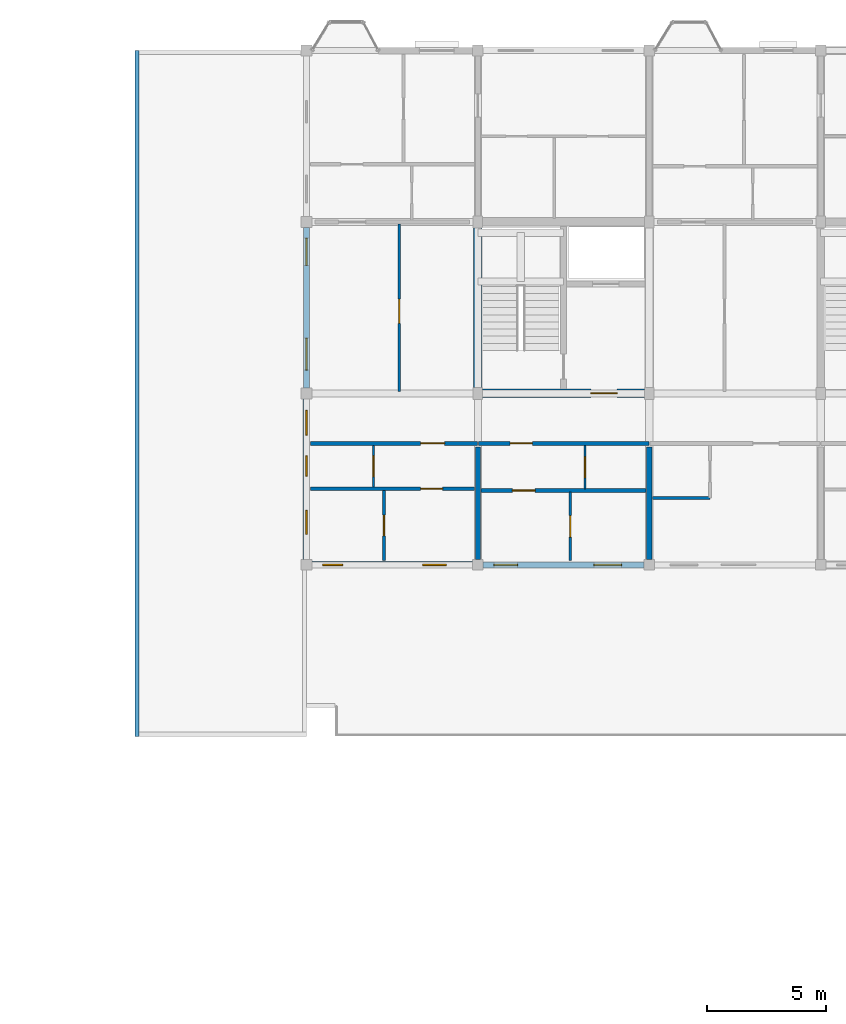
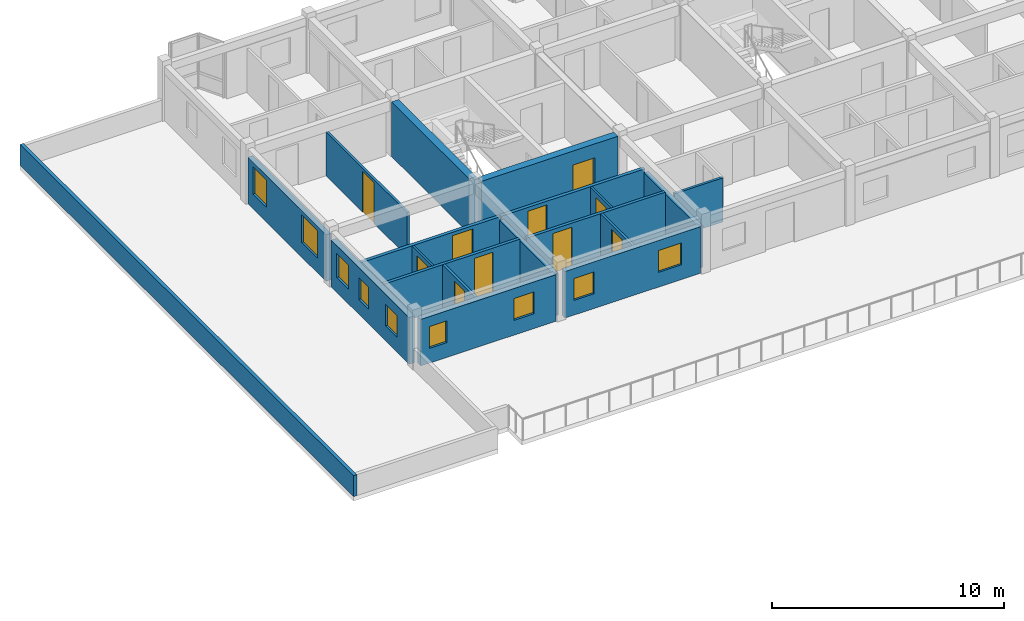
# One storey, part 32 of 40: 19 walls, 10 doors, 9 windows, 19 openings.
"""IFC4 building model written with IfcOpenShell, lengths in metres."""

from ifc_helpers import new_model, si_unit, direction, frame, frame_2d, origin, place, context, subcontext, project, spatial, rectangle, extrude, material, layer, layer_set, type_object, element, fill, save


model = new_model("IFC4")

# Units and contexts
model_context = context("Model", 3, precision=1e-05, world=origin(), true_north=direction((0.0, 1.0)))
body_context = subcontext(model_context, "Body", "Model", "MODEL_VIEW")
ifc_project = project(units=[si_unit("LENGTHUNIT", "METRE"), si_unit("AREAUNIT", "SQUARE_METRE"), si_unit("VOLUMEUNIT", "CUBIC_METRE"), si_unit("PLANEANGLEUNIT", "RADIAN"), si_unit("MASSUNIT", "GRAM", prefix="KILO"), si_unit("THERMODYNAMICTEMPERATUREUNIT", "KELVIN"), si_unit("POWERUNIT", "WATT")], contexts=[model_context])

# Site, building, storey
site_placement = place(None, origin())
site = spatial("IfcSite", under=ifc_project, at=site_placement, CompositionType="ELEMENT")
building_placement = place(site_placement, origin())
building = spatial("IfcBuilding", under=site, at=building_placement, Name="Tavuni Mirador Residences", CompositionType="ELEMENT")
storey_placement = place(building_placement, frame((0.0, 0.0, 36.0)))
storey = spatial("IfcBuildingStorey", under=building, at=storey_placement, Name="L11", CompositionType="ELEMENT", Elevation=36.0)

# Wall
ifc_material_1 = material(Name="Precast concrete C40/50", Category="concrete")
ifc_layer_1 = layer(ifc_material_1, 0.360107421875, Name="Precast concrete C40/50", Category="concrete")
ifc_layer_set_1 = layer_set([ifc_layer_1], Name="Precast concrete C40/50")
wall_type_1 = type_object("IfcWallType", Name="WT-COR360", PredefinedType="SHEAR", material=ifc_layer_set_1)
wall_1_placement = place(storey_placement, frame((25.199951171875, 158.64990234375, 0.0), z_axis=(0.0, 0.0, 1.0), x_axis=(0.0, 1.0, 0.0)))
element("IfcWall", 1, at=wall_1_placement, inside=storey, type_object=wall_type_1, Name="CWALL-C5-L11-W", PredefinedType="SHEAR", context=body_context, shape_type="SweptSolid", body=[
    extrude(rectangle(XDim=6.7001953125, YDim=0.360107421875, at=frame_2d((3.35009765625, 0.0))), origin(), (0.0, 0.0, 1.0), 2.885009765625),
])

# Wall, opening, door
wall_2_placement = place(storey_placement, frame((25.39990234375, 158.39990234375, 0.0), z_axis=(0.0, 0.0, 1.0), x_axis=(1.0, 0.0, 0.0)))
wall_2 = element("IfcWall", 2, at=wall_2_placement, inside=storey, type_object=wall_type_1, Name="CWALL-C5-L11-SS", PredefinedType="SHEAR", context=body_context, shape_type="SweptSolid", body=[
    extrude(rectangle(XDim=6.800048828125, YDim=0.360107421875, at=frame_2d((3.39990234375, 0.0))), origin(), (0.0, 0.0, 1.0), 2.885009765625),
])
opening_1_placement = place(wall_2_placement, frame((4.550048828125, 0.0, 0.0)))
opening_1 = element("IfcOpeningElement", 3, at=opening_1_placement, cuts=wall_2, Name="Opening D-02", PredefinedType="OPENING", context=body_context, shape_type="SweptSolid", body=[
    extrude(rectangle(XDim=1.10009765625, YDim=2.14990234375, at=frame_2d((0.550048828125, 1.074951171875))), frame((0.0, 0.18994140625, 0.0), z_axis=(0.0, -1.0, 0.0), x_axis=(1.0, 0.0, 0.0)), (0.0, 0.0, 1.0), 0.380126953125),
])
ifc_material_2 = material(Name="Solid core iroko timber", Category="wood")
door_type_1 = type_object("IfcDoorType", Name="DT-LOB1100", OperationType="NOTDEFINED", PredefinedType="DOOR", material=ifc_material_2)
door_1_placement = place(opening_1_placement, frame((1.10009765625, 0.0, 0.0), z_axis=(0.0, 0.0, 1.0), x_axis=(-1.0, 0.0, 0.0)))
door_1 = element("IfcDoor", 4, at=door_1_placement, inside=storey, type_object=door_type_1, Name="DR-2207", OperationType="SINGLE_SWING_LEFT", OverallHeight=2.14990234375, OverallWidth=1.10009765625, PredefinedType="DOOR", context=body_context, shape_type="SweptSolid", body=[
    extrude(rectangle(XDim=1.10009765625, YDim=2.14990234375, at=frame_2d((0.550048828125, 1.074951171875))), frame((0.0, 0.02490234375, 0.0), z_axis=(0.0, -1.0, 0.0), x_axis=(1.0, 0.0, 0.0)), (0.0, 0.0, 1.0), 0.050048828125),
])
fill(opening_1, door_1)

ifc_layer_2 = layer(ifc_material_1, 0.1650390625, Name="Precast concrete C40/50", Category="concrete")
ifc_layer_set_2 = layer_set([ifc_layer_2], Name="Precast concrete C40/50")
wall_type_2 = type_object("IfcWallType", Name="WT-CORR165", PredefinedType="PARTITIONING", material=ifc_layer_set_2)
wall_3_placement = place(storey_placement, frame((18.175048828125, 156.300048828125, 0.0), z_axis=(0.0, 0.0, 1.0), x_axis=(1.0, 0.0, 0.0)))
wall_3 = element("IfcWall", 5, at=wall_3_placement, inside=storey, type_object=wall_type_2, Name="CORW-BLK-C-L11-0-00", PredefinedType="PARTITIONING", context=body_context, shape_type="SweptSolid", body=[
    extrude(rectangle(XDim=7.0048828125, YDim=0.1650390625, at=frame_2d((3.50244140625, 0.0))), origin(), (0.0, 0.0, 1.0), 2.320068359375),
])
opening_2_placement = place(wall_3_placement, frame((4.625, 0.0, 0.0)))
opening_2 = element("IfcOpeningElement", 6, at=opening_2_placement, cuts=wall_3, Name="Opening D-03", PredefinedType="OPENING", context=body_context, shape_type="SweptSolid", body=[
    extrude(rectangle(XDim=1.0, YDim=2.14990234375, at=frame_2d((0.5, 1.074951171875))), frame((0.0, 0.092529296875, 0.0), z_axis=(0.0, -1.0, 0.0), x_axis=(1.0, 0.0, 0.0)), (0.0, 0.0, 1.0), 0.18505859375),
])
door_type_2 = type_object("IfcDoorType", Name="DT-FD60-1000", OperationType="NOTDEFINED", PredefinedType="DOOR", material=ifc_material_2)
door_2_placement = place(opening_2_placement, origin())
door_2 = element("IfcDoor", 7, at=door_2_placement, inside=storey, type_object=door_type_2, Name="DR-2775", OperationType="SINGLE_SWING_RIGHT", OverallHeight=2.14990234375, OverallWidth=1.0, PredefinedType="DOOR", context=body_context, shape_type="SweptSolid", body=[
    extrude(rectangle(XDim=1.0, YDim=2.14990234375, at=frame_2d((0.5, 1.074951171875))), frame((0.0, 0.02490234375, 0.0), z_axis=(0.0, -1.0, 0.0), x_axis=(1.0, 0.0, 0.0)), (0.0, 0.0, 1.0), 0.050048828125),
])
fill(opening_2, door_2)

wall_4_placement = place(storey_placement, frame((25.219970703125, 156.300048828125, 0.0), z_axis=(0.0, 0.0, 1.0), x_axis=(1.0, 0.0, 0.0)))
wall_4 = element("IfcWall", 8, at=wall_4_placement, inside=storey, type_object=wall_type_2, Name="CORW-BLK-C-L11-0-01", PredefinedType="PARTITIONING", context=body_context, shape_type="SweptSolid", body=[
    extrude(rectangle(XDim=7.159912109375, YDim=0.1650390625, at=frame_2d((3.580078125, 0.0))), origin(), (0.0, 0.0, 1.0), 2.320068359375),
])
opening_3_placement = place(wall_4_placement, frame((1.330078125, 0.0, 0.0)))
opening_3 = element("IfcOpeningElement", 9, at=opening_3_placement, cuts=wall_4, Name="Opening D-19", PredefinedType="OPENING", context=body_context, shape_type="SweptSolid", body=[
    extrude(rectangle(XDim=0.93994140625, YDim=2.1201171875, at=frame_2d((0.469970703125, 1.06005859375))), frame((0.0, 0.092529296875, 0.0), z_axis=(0.0, -1.0, 0.0), x_axis=(1.0, 0.0, 0.0)), (0.0, 0.0, 1.0), 0.18505859375),
])
door_type_3 = type_object("IfcDoorType", Name="DT-FD60-940", OperationType="NOTDEFINED", PredefinedType="DOOR", material=ifc_material_2)
door_3_placement = place(opening_3_placement, origin())
door_3 = element("IfcDoor", 10, at=door_3_placement, inside=storey, type_object=door_type_3, Name="DR-2776", OperationType="SINGLE_SWING_LEFT", OverallHeight=2.1201171875, OverallWidth=0.93994140625, PredefinedType="DOOR", context=body_context, shape_type="SweptSolid", body=[
    extrude(rectangle(XDim=0.93994140625, YDim=2.1201171875, at=frame_2d((0.469970703125, 1.06005859375))), frame((0.0, 0.02490234375, 0.0), z_axis=(0.0, -1.0, 0.0), x_axis=(1.0, 0.0, 0.0)), (0.0, 0.0, 1.0), 0.050048828125),
])
fill(opening_3, door_3)

# Wall, openings, windows
ifc_material_3 = material(Name="Sgraffito lime-rendered precast concrete C40/50", Category="concrete")
ifc_layer_3 = layer(ifc_material_3, 0.2548828125, Name="Sgraffito lime-rendered precast concrete C40/50", Category="concrete")
ifc_layer_set_3 = layer_set([ifc_layer_3], Name="Sgraffito lime-rendered precast concrete C40/50")
wall_type_3 = type_object("IfcWallType", Name="WT-EXT-PC255", PredefinedType="SOLIDWALL", material=ifc_layer_set_3)
wall_5_placement = place(storey_placement, frame((25.425048828125, 151.199951171875, 0.0), z_axis=(0.0, 0.0, 1.0), x_axis=(1.0, 0.0, 0.0)))
wall_5 = element("IfcWall", 11, at=wall_5_placement, inside=storey, type_object=wall_type_3, Name="EW-BLK-C-L11-S01", PredefinedType="SOLIDWALL", context=body_context, shape_type="SweptSolid", body=[
    extrude(rectangle(XDim=6.75, YDim=0.2548828125, at=frame_2d((3.375, 0.0))), origin(), (0.0, 0.0, 1.0), 2.455078125),
])
opening_4_placement = place(wall_5_placement, frame((0.449951171875, 0.0, 0.780029296875)))
opening_4 = element("IfcOpeningElement", 12, at=opening_4_placement, cuts=wall_5, Name="Opening WN-03", PredefinedType="OPENING", context=body_context, shape_type="SweptSolid", body=[
    extrude(rectangle(XDim=1.0, YDim=1.14990234375, at=frame_2d((0.5, 0.574951171875))), frame((0.0, 0.137451171875, 0.0), z_axis=(0.0, -1.0, 0.0), x_axis=(1.0, 0.0, 0.0)), (0.0, 0.0, 1.0), 0.27490234375),
])
opening_5_placement = place(wall_5_placement, frame((4.64990234375, 0.0, 0.780029296875)))
opening_5 = element("IfcOpeningElement", 13, at=opening_5_placement, cuts=wall_5, Name="Opening WN-05", PredefinedType="OPENING", context=body_context, shape_type="SweptSolid", body=[
    extrude(rectangle(XDim=1.159912109375, YDim=1.14990234375, at=frame_2d((0.580078125, 0.574951171875))), frame((0.0, 0.137451171875, 0.0), z_axis=(0.0, -1.0, 0.0), x_axis=(1.0, 0.0, 0.0)), (0.0, 0.0, 1.0), 0.27490234375),
])
ifc_material_4 = material(Name="Laminated solar-control glass", Category="glass")
window_type_1 = type_object("IfcWindowType", Name="WNT-03", PartitioningType="SINGLE_PANEL", PredefinedType="WINDOW", material=ifc_material_4)
window_1_placement = place(opening_4_placement, origin())
window_1 = element("IfcWindow", 14, at=window_1_placement, inside=storey, type_object=window_type_1, Name="WIN-1311", OverallHeight=1.14990234375, OverallWidth=1.0, PartitioningType="SINGLE_PANEL", PredefinedType="WINDOW", context=body_context, shape_type="SweptSolid", body=[
    extrude(rectangle(XDim=1.0, YDim=1.14990234375, at=frame_2d((0.5, 0.574951171875))), frame((0.0, 0.030029296875, 0.0), z_axis=(0.0, -1.0, 0.0), x_axis=(1.0, 0.0, 0.0)), (0.0, 0.0, 1.0), 0.06005859375),
])
fill(opening_4, window_1)
window_type_2 = type_object("IfcWindowType", Name="WNT-05", PartitioningType="SINGLE_PANEL", PredefinedType="WINDOW", material=ifc_material_4)
window_2_placement = place(opening_5_placement, origin())
window_2 = element("IfcWindow", 15, at=window_2_placement, inside=storey, type_object=window_type_2, Name="WIN-1312", OverallHeight=1.14990234375, OverallWidth=1.159912109375, PartitioningType="SINGLE_PANEL", PredefinedType="WINDOW", context=body_context, shape_type="SweptSolid", body=[
    extrude(rectangle(XDim=1.159912109375, YDim=1.14990234375, at=frame_2d((0.580078125, 0.574951171875))), frame((0.0, 0.030029296875, 0.0), z_axis=(0.0, -1.0, 0.0), x_axis=(1.0, 0.0, 0.0)), (0.0, 0.0, 1.0), 0.06005859375),
])
fill(opening_5, window_2)

wall_6_placement = place(storey_placement, frame((18.0, 165.375, 0.0), z_axis=(0.0, 0.0, 1.0), x_axis=(0.0, -1.0, 0.0)))
wall_6 = element("IfcWall", 16, at=wall_6_placement, inside=storey, type_object=wall_type_3, Name="EW-BLK-C-L11-W01", PredefinedType="SOLIDWALL", context=body_context, shape_type="SweptSolid", body=[
    extrude(rectangle(XDim=6.75, YDim=0.2548828125, at=frame_2d((3.375, 0.0))), origin(), (0.0, 0.0, 1.0), 2.455078125),
])
opening_6_placement = place(wall_6_placement, frame((0.449951171875, 0.0, 0.780029296875)))
opening_6 = element("IfcOpeningElement", 17, at=opening_6_placement, cuts=wall_6, Name="Opening WN-27", PredefinedType="OPENING", context=body_context, shape_type="SweptSolid", body=[
    extrude(rectangle(XDim=1.14990234375, YDim=1.43994140625, at=frame_2d((0.574951171875, 0.719970703125))), frame((0.0, 0.137451171875, 0.0), z_axis=(0.0, -1.0, 0.0), x_axis=(1.0, 0.0, 0.0)), (0.0, 0.0, 1.0), 0.27490234375),
])
opening_7_placement = place(wall_6_placement, frame((4.64990234375, 0.0, 0.780029296875)))
opening_7 = element("IfcOpeningElement", 18, at=opening_7_placement, cuts=wall_6, Name="Opening WN-29", PredefinedType="OPENING", context=body_context, shape_type="SweptSolid", body=[
    extrude(rectangle(XDim=1.35009765625, YDim=1.43994140625, at=frame_2d((0.675048828125, 0.719970703125))), frame((0.0, 0.137451171875, 0.0), z_axis=(0.0, -1.0, 0.0), x_axis=(1.0, 0.0, 0.0)), (0.0, 0.0, 1.0), 0.27490234375),
])
window_type_3 = type_object("IfcWindowType", Name="WNT-27", PartitioningType="SINGLE_PANEL", PredefinedType="WINDOW", material=ifc_material_4)
window_3_placement = place(opening_6_placement, origin())
window_3 = element("IfcWindow", 19, at=window_3_placement, inside=storey, type_object=window_type_3, Name="WIN-1335", OverallHeight=1.43994140625, OverallWidth=1.14990234375, PartitioningType="SINGLE_PANEL", PredefinedType="WINDOW", context=body_context, shape_type="SweptSolid", body=[
    extrude(rectangle(XDim=1.14990234375, YDim=1.43994140625, at=frame_2d((0.574951171875, 0.719970703125))), frame((0.0, 0.030029296875, 0.0), z_axis=(0.0, -1.0, 0.0), x_axis=(1.0, 0.0, 0.0)), (0.0, 0.0, 1.0), 0.06005859375),
])
fill(opening_6, window_3)
window_type_4 = type_object("IfcWindowType", Name="WNT-29", PartitioningType="SINGLE_PANEL", PredefinedType="WINDOW", material=ifc_material_4)
window_4_placement = place(opening_7_placement, origin())
window_4 = element("IfcWindow", 20, at=window_4_placement, inside=storey, type_object=window_type_4, Name="WIN-1336", OverallHeight=1.43994140625, OverallWidth=1.35009765625, PartitioningType="SINGLE_PANEL", PredefinedType="WINDOW", context=body_context, shape_type="SweptSolid", body=[
    extrude(rectangle(XDim=1.35009765625, YDim=1.43994140625, at=frame_2d((0.675048828125, 0.719970703125))), frame((0.0, 0.030029296875, 0.0), z_axis=(0.0, -1.0, 0.0), x_axis=(1.0, 0.0, 0.0)), (0.0, 0.0, 1.0), 0.06005859375),
])
fill(opening_7, window_4)

ifc_layer_4 = layer(ifc_material_3, 0.27490234375, Name="Sgraffito lime-rendered precast concrete C40/50", Category="concrete")
ifc_layer_set_4 = layer_set([ifc_layer_4], Name="Sgraffito lime-rendered precast concrete C40/50")
wall_type_4 = type_object("IfcWallType", Name="WT-EXT-PC275", PredefinedType="SOLIDWALL", material=ifc_layer_set_4)
wall_7_placement = place(storey_placement, frame((18.22509765625, 151.199951171875, 0.0), z_axis=(0.0, 0.0, 1.0), x_axis=(1.0, 0.0, 0.0)))
wall_7 = element("IfcWall", 21, at=wall_7_placement, inside=storey, type_object=wall_type_4, Name="EW-BLK-C-L11-S00", PredefinedType="SOLIDWALL", context=body_context, shape_type="SweptSolid", body=[
    extrude(rectangle(XDim=6.75, YDim=0.27490234375, at=frame_2d((3.375, 0.0))), origin(), (0.0, 0.0, 1.0), 2.455078125),
])
opening_8_placement = place(wall_7_placement, frame((0.449951171875, 0.0, 0.780029296875)))
opening_8 = element("IfcOpeningElement", 22, at=opening_8_placement, cuts=wall_7, Name="Opening WN-01", PredefinedType="OPENING", context=body_context, shape_type="SweptSolid", body=[
    extrude(rectangle(XDim=0.85009765625, YDim=1.14990234375, at=frame_2d((0.425048828125, 0.574951171875))), frame((0.0, 0.1474609375, 0.0), z_axis=(0.0, -1.0, 0.0), x_axis=(1.0, 0.0, 0.0)), (0.0, 0.0, 1.0), 0.294921875),
])
opening_9_placement = place(wall_7_placement, frame((4.64990234375, 0.0, 0.780029296875)))
opening_9 = element("IfcOpeningElement", 23, at=opening_9_placement, cuts=wall_7, Name="Opening WN-03", PredefinedType="OPENING", context=body_context, shape_type="SweptSolid", body=[
    extrude(rectangle(XDim=1.0, YDim=1.14990234375, at=frame_2d((0.5, 0.574951171875))), frame((0.0, 0.1474609375, 0.0), z_axis=(0.0, -1.0, 0.0), x_axis=(1.0, 0.0, 0.0)), (0.0, 0.0, 1.0), 0.294921875),
])
window_type_5 = type_object("IfcWindowType", Name="WNT-01", PartitioningType="SINGLE_PANEL", PredefinedType="WINDOW", material=ifc_material_4)
window_5_placement = place(opening_8_placement, origin())
window_5 = element("IfcWindow", 24, at=window_5_placement, inside=storey, type_object=window_type_5, Name="WIN-1309", OverallHeight=1.14990234375, OverallWidth=0.85009765625, PartitioningType="SINGLE_PANEL", PredefinedType="WINDOW", context=body_context, shape_type="SweptSolid", body=[
    extrude(rectangle(XDim=0.85009765625, YDim=1.14990234375, at=frame_2d((0.425048828125, 0.574951171875))), frame((0.0, 0.030029296875, 0.0), z_axis=(0.0, -1.0, 0.0), x_axis=(1.0, 0.0, 0.0)), (0.0, 0.0, 1.0), 0.06005859375),
])
fill(opening_8, window_5)
window_6_placement = place(opening_9_placement, origin())
window_6 = element("IfcWindow", 25, at=window_6_placement, inside=storey, type_object=window_type_1, Name="WIN-1310", OverallHeight=1.14990234375, OverallWidth=1.0, PartitioningType="SINGLE_PANEL", PredefinedType="WINDOW", context=body_context, shape_type="SweptSolid", body=[
    extrude(rectangle(XDim=1.0, YDim=1.14990234375, at=frame_2d((0.5, 0.574951171875))), frame((0.0, 0.030029296875, 0.0), z_axis=(0.0, -1.0, 0.0), x_axis=(1.0, 0.0, 0.0)), (0.0, 0.0, 1.0), 0.06005859375),
])
fill(opening_9, window_6)

wall_8_placement = place(storey_placement, frame((18.0, 158.175048828125, 0.0), z_axis=(0.0, 0.0, 1.0), x_axis=(0.0, -1.0, 0.0)))
wall_8 = element("IfcWall", 26, at=wall_8_placement, inside=storey, type_object=wall_type_4, Name="EW-BLK-C-L11-W00", PredefinedType="SOLIDWALL", context=body_context, shape_type="SweptSolid", body=[
    extrude(rectangle(XDim=6.75, YDim=0.27490234375, at=frame_2d((3.375, 0.0))), origin(), (0.0, 0.0, 1.0), 2.455078125),
])
opening_10_placement = place(wall_8_placement, frame((0.487548828125, 0.0, 0.780029296875)))
opening_10 = element("IfcOpeningElement", 27, at=opening_10_placement, cuts=wall_8, Name="Opening WN-11", PredefinedType="OPENING", context=body_context, shape_type="SweptSolid", body=[
    extrude(rectangle(XDim=1.0400390625, YDim=1.260009765625, at=frame_2d((0.52001953125, 0.6298828125))), frame((0.0, 0.1474609375, 0.0), z_axis=(0.0, -1.0, 0.0), x_axis=(1.0, 0.0, 0.0)), (0.0, 0.0, 1.0), 0.294921875),
])
opening_11_placement = place(wall_8_placement, frame((2.39990234375, 0.0, 0.780029296875)))
opening_11 = element("IfcOpeningElement", 28, at=opening_11_placement, cuts=wall_8, Name="Opening WN-01", PredefinedType="OPENING", context=body_context, shape_type="SweptSolid", body=[
    extrude(rectangle(XDim=0.85009765625, YDim=1.14990234375, at=frame_2d((0.425048828125, 0.574951171875))), frame((0.0, 0.1474609375, 0.0), z_axis=(0.0, -1.0, 0.0), x_axis=(1.0, 0.0, 0.0)), (0.0, 0.0, 1.0), 0.294921875),
])
opening_12_placement = place(wall_8_placement, frame((4.6923828125, 0.0, 0.780029296875)))
opening_12 = element("IfcOpeningElement", 29, at=opening_12_placement, cuts=wall_8, Name="Opening WN-03", PredefinedType="OPENING", context=body_context, shape_type="SweptSolid", body=[
    extrude(rectangle(XDim=1.0, YDim=1.14990234375, at=frame_2d((0.5, 0.574951171875))), frame((0.0, 0.1474609375, 0.0), z_axis=(0.0, -1.0, 0.0), x_axis=(1.0, 0.0, 0.0)), (0.0, 0.0, 1.0), 0.294921875),
])
window_7_placement = place(opening_11_placement, origin())
window_7 = element("IfcWindow", 30, at=window_7_placement, inside=storey, type_object=window_type_5, Name="WIN-1338", OverallHeight=1.14990234375, OverallWidth=0.85009765625, PartitioningType="SINGLE_PANEL", PredefinedType="WINDOW", context=body_context, shape_type="SweptSolid", body=[
    extrude(rectangle(XDim=0.85009765625, YDim=1.14990234375, at=frame_2d((0.425048828125, 0.574951171875))), frame((0.0, 0.030029296875, 0.0), z_axis=(0.0, -1.0, 0.0), x_axis=(1.0, 0.0, 0.0)), (0.0, 0.0, 1.0), 0.06005859375),
])
fill(opening_11, window_7)
window_8_placement = place(opening_12_placement, origin())
window_8 = element("IfcWindow", 31, at=window_8_placement, inside=storey, type_object=window_type_1, Name="WIN-1339", OverallHeight=1.14990234375, OverallWidth=1.0, PartitioningType="SINGLE_PANEL", PredefinedType="WINDOW", context=body_context, shape_type="SweptSolid", body=[
    extrude(rectangle(XDim=1.0, YDim=1.14990234375, at=frame_2d((0.5, 0.574951171875))), frame((0.0, 0.030029296875, 0.0), z_axis=(0.0, -1.0, 0.0), x_axis=(1.0, 0.0, 0.0)), (0.0, 0.0, 1.0), 0.06005859375),
])
fill(opening_12, window_8)
window_type_6 = type_object("IfcWindowType", Name="WNT-11", PartitioningType="SINGLE_PANEL", PredefinedType="WINDOW", material=ifc_material_4)
window_9_placement = place(opening_10_placement, origin())
window_9 = element("IfcWindow", 32, at=window_9_placement, inside=storey, type_object=window_type_6, Name="WIN-1337", OverallHeight=1.260009765625, OverallWidth=1.0400390625, PartitioningType="SINGLE_PANEL", PredefinedType="WINDOW", context=body_context, shape_type="SweptSolid", body=[
    extrude(rectangle(XDim=1.0400390625, YDim=1.260009765625, at=frame_2d((0.52001953125, 0.6298828125))), frame((0.0, 0.030029296875, 0.0), z_axis=(0.0, -1.0, 0.0), x_axis=(1.0, 0.0, 0.0)), (0.0, 0.0, 1.0), 0.06005859375),
])
fill(opening_10, window_9)

# Wall
ifc_layer_5 = layer(ifc_material_1, 0.175048828125, Name="Precast concrete C40/50", Category="concrete")
ifc_layer_set_5 = layer_set([ifc_layer_5], Name="Precast concrete C40/50")
wall_type_5 = type_object("IfcWallType", Name="WT-PAR175", PredefinedType="PARAPET", material=ifc_layer_set_5)
wall_9_placement = place(storey_placement, frame((10.887451171875, 144.0, 0.0), z_axis=(0.0, 0.0, 1.0), x_axis=(0.0, 1.0, 0.0)))
element("IfcWall", 33, at=wall_9_placement, inside=storey, type_object=wall_type_5, Name="Setback roof parapet ROOF-C-L11-W W", PredefinedType="PARAPET", context=body_context, shape_type="SweptSolid", body=[
    extrude(rectangle(XDim=28.800048828125, YDim=0.175048828125, at=frame_2d((14.39990234375, 0.0))), origin(), (0.0, 0.0, 1.0), 1.10009765625),
])

# Wall, opening, door
ifc_material_5 = material(Name="Acoustic gypsum and concrete block partition", Category="concrete")
ifc_layer_6 = layer(ifc_material_5, 0.094970703125, Name="Acoustic gypsum and concrete block partition", Category="concrete")
ifc_layer_set_6 = layer_set([ifc_layer_6], Name="Acoustic gypsum and concrete block partition")
wall_type_6 = type_object("IfcWallType", Name="WT-PART095", PredefinedType="PARTITIONING", material=ifc_layer_set_6)
wall_10_placement = place(storey_placement, frame((20.820068359375, 154.469970703125, 0.0), z_axis=(0.0, 0.0, 1.0), x_axis=(0.0, 1.0, 0.0)))
wall_10 = element("IfcWall", 34, at=wall_10_placement, inside=storey, type_object=wall_type_6, Name="PW-BLK-C-L11-S00-IN1", PredefinedType="PARTITIONING", context=body_context, shape_type="SweptSolid", body=[
    extrude(rectangle(XDim=1.739990234375, YDim=0.094970703125, at=frame_2d((0.8701171875, 0.0))), origin(), (0.0, 0.0, 1.0), 2.320068359375),
])
opening_13_placement = place(wall_10_placement, frame((0.43505859375, 0.0, 0.0)))
opening_13 = element("IfcOpeningElement", 35, at=opening_13_placement, cuts=wall_10, Name="Opening D-10", PredefinedType="OPENING", context=body_context, shape_type="SweptSolid", body=[
    extrude(rectangle(XDim=0.8701171875, YDim=2.050048828125, at=frame_2d((0.43505859375, 1.02490234375))), frame((0.0, 0.0576171875, 0.0), z_axis=(0.0, -1.0, 0.0), x_axis=(1.0, 0.0, 0.0)), (0.0, 0.0, 1.0), 0.114990234375),
])
door_type_4 = type_object("IfcDoorType", Name="DT-WC870", OperationType="NOTDEFINED", PredefinedType="DOOR", material=ifc_material_2)
door_4_placement = place(opening_13_placement, origin())
door_4 = element("IfcDoor", 36, at=door_4_placement, inside=storey, type_object=door_type_4, Name="DR-4200", OperationType="SINGLE_SWING_RIGHT", OverallHeight=2.050048828125, OverallWidth=0.8701171875, PredefinedType="DOOR", context=body_context, shape_type="SweptSolid", body=[
    extrude(rectangle(XDim=0.8701171875, YDim=2.050048828125, at=frame_2d((0.43505859375, 1.02490234375))), frame((0.0, 0.02490234375, 0.0), z_axis=(0.0, -1.0, 0.0), x_axis=(1.0, 0.0, 0.0)), (0.0, 0.0, 1.0), 0.050048828125),
])
fill(opening_13, door_4)

wall_11_placement = place(storey_placement, frame((29.699951171875, 154.389892578125, 0.0), z_axis=(0.0, 0.0, 1.0), x_axis=(0.0, 1.0, 0.0)))
wall_11 = element("IfcWall", 37, at=wall_11_placement, inside=storey, type_object=wall_type_6, Name="PW-BLK-C-L11-S01-IN1", PredefinedType="PARTITIONING", context=body_context, shape_type="SweptSolid", body=[
    extrude(rectangle(XDim=1.820068359375, YDim=0.094970703125, at=frame_2d((0.91015625, 0.0))), origin(), (0.0, 0.0, 1.0), 2.320068359375),
])
opening_14_placement = place(wall_11_placement, frame((0.47509765625, 0.0, 0.0)))
opening_14 = element("IfcOpeningElement", 38, at=opening_14_placement, cuts=wall_11, Name="Opening D-10", PredefinedType="OPENING", context=body_context, shape_type="SweptSolid", body=[
    extrude(rectangle(XDim=0.8701171875, YDim=2.050048828125, at=frame_2d((0.43505859375, 1.02490234375))), frame((0.0, 0.0576171875, 0.0), z_axis=(0.0, -1.0, 0.0), x_axis=(1.0, 0.0, 0.0)), (0.0, 0.0, 1.0), 0.114990234375),
])
door_5_placement = place(opening_14_placement, origin())
door_5 = element("IfcDoor", 39, at=door_5_placement, inside=storey, type_object=door_type_4, Name="DR-4206", OperationType="SINGLE_SWING_LEFT", OverallHeight=2.050048828125, OverallWidth=0.8701171875, PredefinedType="DOOR", context=body_context, shape_type="SweptSolid", body=[
    extrude(rectangle(XDim=0.8701171875, YDim=2.050048828125, at=frame_2d((0.43505859375, 1.02490234375))), frame((0.0, 0.02490234375, 0.0), z_axis=(0.0, -1.0, 0.0), x_axis=(1.0, 0.0, 0.0)), (0.0, 0.0, 1.0), 0.050048828125),
])
fill(opening_14, door_5)

ifc_layer_7 = layer(ifc_material_5, 0.114990234375, Name="Acoustic gypsum and concrete block partition", Category="concrete")
ifc_layer_set_7 = layer_set([ifc_layer_7], Name="Acoustic gypsum and concrete block partition")
wall_type_7 = type_object("IfcWallType", Name="WT-PART115", PredefinedType="PARTITIONING", material=ifc_layer_set_7)
wall_12_placement = place(storey_placement, frame((21.89990234375, 158.489990234375, 0.0), z_axis=(0.0, 0.0, 1.0), x_axis=(0.0, 1.0, 0.0)))
wall_12 = element("IfcWall", 40, at=wall_12_placement, inside=storey, type_object=wall_type_7, Name="PW-SPN-BLK-C-L11-00", PredefinedType="PARTITIONING", context=body_context, shape_type="SweptSolid", body=[
    extrude(rectangle(XDim=7.02001953125, YDim=0.114990234375, at=frame_2d((3.510009765625, 0.0))), origin(), (0.0, 0.0, 1.0), 2.320068359375),
])
opening_15_placement = place(wall_12_placement, frame((2.85009765625, 0.0, 0.0)))
opening_15 = element("IfcOpeningElement", 41, at=opening_15_placement, cuts=wall_12, Name="Opening D-13", PredefinedType="OPENING", context=body_context, shape_type="SweptSolid", body=[
    extrude(rectangle(XDim=1.02001953125, YDim=2.14990234375, at=frame_2d((0.510009765625, 1.074951171875))), frame((0.0, 0.0673828125, 0.0), z_axis=(0.0, -1.0, 0.0), x_axis=(1.0, 0.0, 0.0)), (0.0, 0.0, 1.0), 0.135009765625),
])
door_type_5 = type_object("IfcDoorType", Name="DT-MTG1020", OperationType="NOTDEFINED", PredefinedType="DOOR", material=ifc_material_2)
door_6_placement = place(opening_15_placement, origin())
door_6 = element("IfcDoor", 42, at=door_6_placement, inside=storey, type_object=door_type_5, Name="DR-4198", OperationType="SINGLE_SWING_RIGHT", OverallHeight=2.14990234375, OverallWidth=1.02001953125, PredefinedType="DOOR", context=body_context, shape_type="SweptSolid", body=[
    extrude(rectangle(XDim=1.02001953125, YDim=2.14990234375, at=frame_2d((0.510009765625, 1.074951171875))), frame((0.0, 0.02490234375, 0.0), z_axis=(0.0, -1.0, 0.0), x_axis=(1.0, 0.0, 0.0)), (0.0, 0.0, 1.0), 0.050048828125),
])
fill(opening_15, door_6)

ifc_layer_8 = layer(ifc_material_5, 0.125, Name="Acoustic gypsum and concrete block partition", Category="concrete")
ifc_layer_set_8 = layer_set([ifc_layer_8], Name="Acoustic gypsum and concrete block partition")
wall_type_8 = type_object("IfcWallType", Name="WT-PART125", PredefinedType="PARTITIONING", material=ifc_layer_set_8)
wall_13_placement = place(storey_placement, frame((21.260009765625, 151.375, 0.0), z_axis=(0.0, 0.0, 1.0), x_axis=(0.0, 1.0, 0.0)))
wall_13 = element("IfcWall", 43, at=wall_13_placement, inside=storey, type_object=wall_type_8, Name="PW-BLK-C-L11-S00-OUT", PredefinedType="PARTITIONING", context=body_context, shape_type="SweptSolid", body=[
    extrude(rectangle(XDim=2.955078125, YDim=0.125, at=frame_2d((1.4775390625, 0.0))), origin(), (0.0, 0.0, 1.0), 2.320068359375),
])
opening_16_placement = place(wall_13_placement, frame((1.03759765625, 0.0, 0.0)))
opening_16 = element("IfcOpeningElement", 44, at=opening_16_placement, cuts=wall_13, Name="Opening D-08", PredefinedType="OPENING", context=body_context, shape_type="SweptSolid", body=[
    extrude(rectangle(XDim=0.8798828125, YDim=2.080078125, at=frame_2d((0.43994140625, 1.0400390625))), frame((0.0, 0.072509765625, 0.0), z_axis=(0.0, -1.0, 0.0), x_axis=(1.0, 0.0, 0.0)), (0.0, 0.0, 1.0), 0.14501953125),
])
door_type_6 = type_object("IfcDoorType", Name="DT-BED880", OperationType="NOTDEFINED", PredefinedType="DOOR", material=ifc_material_2)
door_7_placement = place(opening_16_placement, origin())
door_7 = element("IfcDoor", 45, at=door_7_placement, inside=storey, type_object=door_type_6, Name="DR-4199", OperationType="SINGLE_SWING_LEFT", OverallHeight=2.080078125, OverallWidth=0.8798828125, PredefinedType="DOOR", context=body_context, shape_type="SweptSolid", body=[
    extrude(rectangle(XDim=0.8798828125, YDim=2.080078125, at=frame_2d((0.43994140625, 1.0400390625))), frame((0.0, 0.02490234375, 0.0), z_axis=(0.0, -1.0, 0.0), x_axis=(1.0, 0.0, 0.0)), (0.0, 0.0, 1.0), 0.050048828125),
])
fill(opening_16, door_7)

wall_14_placement = place(storey_placement, frame((29.080078125, 151.375, 0.0), z_axis=(0.0, 0.0, 1.0), x_axis=(0.0, 1.0, 0.0)))
wall_14 = element("IfcWall", 46, at=wall_14_placement, inside=storey, type_object=wall_type_8, Name="PW-BLK-C-L11-S01-OUT", PredefinedType="PARTITIONING", context=body_context, shape_type="SweptSolid", body=[
    extrude(rectangle(XDim=2.875, YDim=0.125, at=frame_2d((1.4375, 0.0))), origin(), (0.0, 0.0, 1.0), 2.320068359375),
])
opening_17_placement = place(wall_14_placement, frame((0.987548828125, 0.0, 0.0)))
opening_17 = element("IfcOpeningElement", 47, at=opening_17_placement, cuts=wall_14, Name="Opening D-07", PredefinedType="OPENING", context=body_context, shape_type="SweptSolid", body=[
    extrude(rectangle(XDim=0.89990234375, YDim=2.10009765625, at=frame_2d((0.449951171875, 1.050048828125))), frame((0.0, 0.072509765625, 0.0), z_axis=(0.0, -1.0, 0.0), x_axis=(1.0, 0.0, 0.0)), (0.0, 0.0, 1.0), 0.14501953125),
])
door_type_7 = type_object("IfcDoorType", Name="DT-BED900", OperationType="NOTDEFINED", PredefinedType="DOOR", material=ifc_material_2)
door_8_placement = place(opening_17_placement, origin())
door_8 = element("IfcDoor", 48, at=door_8_placement, inside=storey, type_object=door_type_7, Name="DR-4205", OperationType="SINGLE_SWING_RIGHT", OverallHeight=2.10009765625, OverallWidth=0.89990234375, PredefinedType="DOOR", context=body_context, shape_type="SweptSolid", body=[
    extrude(rectangle(XDim=0.89990234375, YDim=2.10009765625, at=frame_2d((0.449951171875, 1.050048828125))), frame((0.0, 0.02490234375, 0.0), z_axis=(0.0, -1.0, 0.0), x_axis=(1.0, 0.0, 0.0)), (0.0, 0.0, 1.0), 0.050048828125),
])
fill(opening_17, door_8)

# Wall
wall_15_placement = place(storey_placement, frame((32.5400390625, 154.0, 0.0), z_axis=(0.0, 0.0, 1.0), x_axis=(1.0, 0.0, 0.0)))
element("IfcWall", 49, at=wall_15_placement, inside=storey, type_object=wall_type_8, Name="PW-BLK-C-L11-S02-1", PredefinedType="PARTITIONING", context=body_context, shape_type="SweptSolid", body=[
    extrude(rectangle(XDim=2.409912109375, YDim=0.125, at=frame_2d((1.205078125, 0.0))), origin(), (0.0, 0.0, 1.0), 2.320068359375),
])

# Wall, opening, door
ifc_layer_9 = layer(ifc_material_5, 0.14990234375, Name="Acoustic gypsum and concrete block partition", Category="concrete")
ifc_layer_set_9 = layer_set([ifc_layer_9], Name="Acoustic gypsum and concrete block partition")
wall_type_9 = type_object("IfcWallType", Name="WT-PART150", PredefinedType="PARTITIONING", material=ifc_layer_set_9)
wall_16_placement = place(storey_placement, frame((18.175048828125, 154.39990234375, 0.0), z_axis=(0.0, 0.0, 1.0), x_axis=(1.0, 0.0, 0.0)))
wall_16 = element("IfcWall", 50, at=wall_16_placement, inside=storey, type_object=wall_type_9, Name="PW-BLK-C-L11-S00-MID", PredefinedType="PARTITIONING", context=body_context, shape_type="SweptSolid", body=[
    extrude(rectangle(XDim=6.885009765625, YDim=0.14990234375, at=frame_2d((3.4423828125, 0.0))), origin(), (0.0, 0.0, 1.0), 2.320068359375),
])
opening_18_placement = place(wall_16_placement, frame((4.625, 0.0, 0.0)))
opening_18 = element("IfcOpeningElement", 51, at=opening_18_placement, cuts=wall_16, Name="Opening D-06", PredefinedType="OPENING", context=body_context, shape_type="SweptSolid", body=[
    extrude(rectangle(XDim=0.919921875, YDim=2.10009765625, at=frame_2d((0.4599609375, 1.050048828125))), frame((0.0, 0.0849609375, 0.0), z_axis=(0.0, -1.0, 0.0), x_axis=(1.0, 0.0, 0.0)), (0.0, 0.0, 1.0), 0.169921875),
])
door_type_8 = type_object("IfcDoorType", Name="DT-INT920", OperationType="NOTDEFINED", PredefinedType="DOOR", material=ifc_material_2)
door_9_placement = place(opening_18_placement, origin())
door_9 = element("IfcDoor", 52, at=door_9_placement, inside=storey, type_object=door_type_8, Name="DR-4201", OperationType="SINGLE_SWING_RIGHT", OverallHeight=2.10009765625, OverallWidth=0.919921875, PredefinedType="DOOR", context=body_context, shape_type="SweptSolid", body=[
    extrude(rectangle(XDim=0.919921875, YDim=2.10009765625, at=frame_2d((0.4599609375, 1.050048828125))), frame((0.0, 0.02490234375, 0.0), z_axis=(0.0, -1.0, 0.0), x_axis=(1.0, 0.0, 0.0)), (0.0, 0.0, 1.0), 0.050048828125),
])
fill(opening_18, door_9)

wall_17_placement = place(storey_placement, frame((25.340087890625, 154.320068359375, 0.0), z_axis=(0.0, 0.0, 1.0), x_axis=(1.0, 0.0, 0.0)))
wall_17 = element("IfcWall", 53, at=wall_17_placement, inside=storey, type_object=wall_type_9, Name="PW-BLK-C-L11-S01-MID", PredefinedType="PARTITIONING", context=body_context, shape_type="SweptSolid", body=[
    extrude(rectangle(XDim=6.919921875, YDim=0.14990234375, at=frame_2d((3.4599609375, 0.0))), origin(), (0.0, 0.0, 1.0), 2.320068359375),
])
opening_19_placement = place(wall_17_placement, frame((1.31005859375, 0.0, 0.0)))
opening_19 = element("IfcOpeningElement", 54, at=opening_19_placement, cuts=wall_17, Name="Opening D-05", PredefinedType="OPENING", context=body_context, shape_type="SweptSolid", body=[
    extrude(rectangle(XDim=0.949951171875, YDim=2.10009765625, at=frame_2d((0.47509765625, 1.050048828125))), frame((0.0, 0.0849609375, 0.0), z_axis=(0.0, -1.0, 0.0), x_axis=(1.0, 0.0, 0.0)), (0.0, 0.0, 1.0), 0.169921875),
])
door_type_9 = type_object("IfcDoorType", Name="DT-INT950", OperationType="NOTDEFINED", PredefinedType="DOOR", material=ifc_material_2)
door_10_placement = place(opening_19_placement, origin())
door_10 = element("IfcDoor", 55, at=door_10_placement, inside=storey, type_object=door_type_9, Name="DR-4207", OperationType="SINGLE_SWING_LEFT", OverallHeight=2.10009765625, OverallWidth=0.949951171875, PredefinedType="DOOR", context=body_context, shape_type="SweptSolid", body=[
    extrude(rectangle(XDim=0.949951171875, YDim=2.10009765625, at=frame_2d((0.47509765625, 1.050048828125))), frame((0.0, 0.02490234375, 0.0), z_axis=(0.0, -1.0, 0.0), x_axis=(1.0, 0.0, 0.0)), (0.0, 0.0, 1.0), 0.050048828125),
])
fill(opening_19, door_10)

# Walls
ifc_layer_10 = layer(ifc_material_1, 0.215087890625, Name="Precast concrete C40/50", Category="concrete")
ifc_layer_set_10 = layer_set([ifc_layer_10], Name="Precast concrete C40/50")
wall_type_10 = type_object("IfcWallType", Name="WT-XW215", PredefinedType="SOLIDWALL", material=ifc_layer_set_10)
for number, where, z_axis, x_axis, name in (
    (56, (25.199951171875, 151.425048828125, 0.0), (0.0, 0.0, 1.0), (0.0, 1.0, 0.0), "XW-BLK-C-L11-S-01"),
    (57, (32.39990234375, 151.425048828125, 0.0), (0.0, 0.0, 1.0), (0.0, 1.0, 0.0), "XW-BLK-C-L11-S-02"),
):
    element("IfcWall", number, at=place(storey_placement, frame(where, z_axis=z_axis, x_axis=x_axis)), inside=storey, type_object=wall_type_10, Name=name, PredefinedType="SOLIDWALL", context=body_context, shape_type="SweptSolid", body=[
        extrude(rectangle(XDim=4.724853515625, YDim=0.215087890625, at=frame_2d((2.3623046875, 0.0))), origin(), (0.0, 0.0, 1.0), 2.18505859375),
    ])

save(model, "model.ifc")
